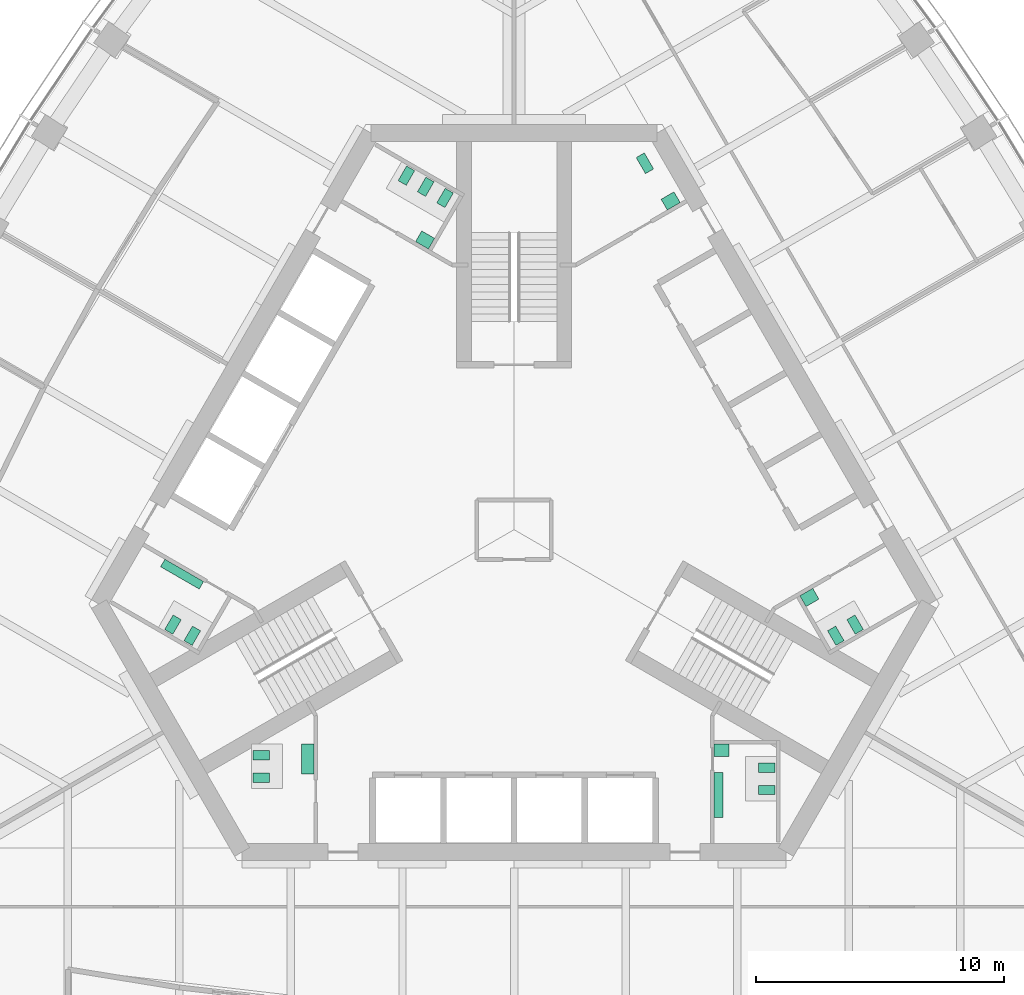
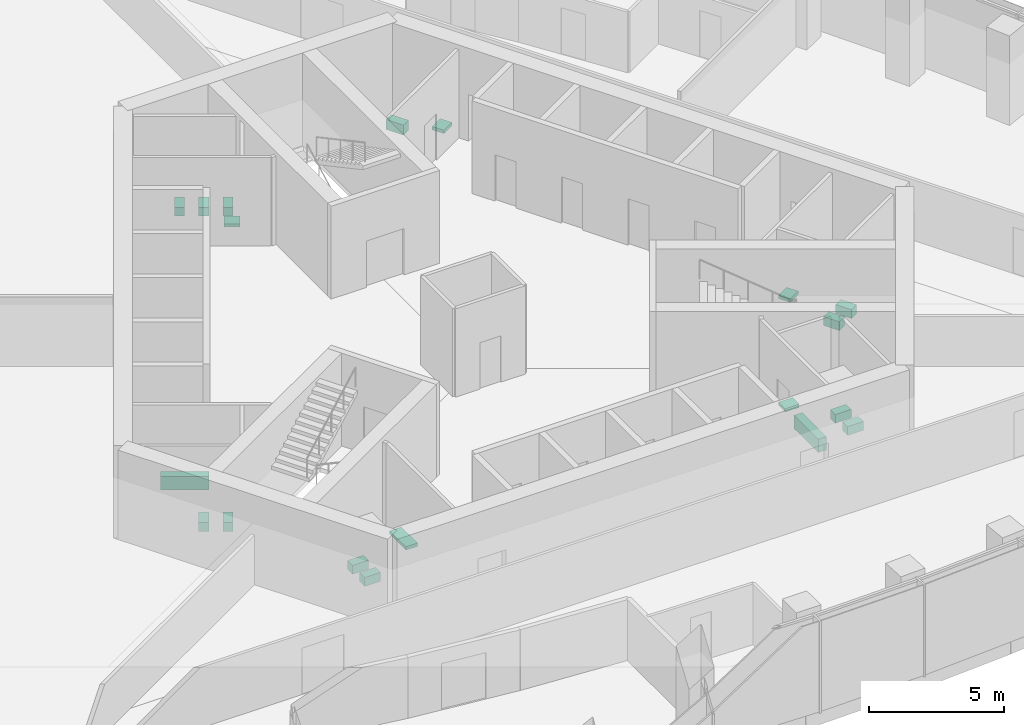
# One storey, part 18 of 19: 19 sanitary terminals.
"""IFC4 building model written with IfcOpenShell, lengths in metres."""

from ifc_helpers import new_model, si_unit, direction, frame, origin, place, context, subcontext, project, spatial, polyline, outline, extrude, material, type_object, element, save


model = new_model("IFC4")

# Units and contexts
model_context = context("Model", 3, precision=1e-05, world=origin(), true_north=direction((0.0, 1.0)))
body_context = subcontext(model_context, "Body", "Model", "MODEL_VIEW")
ifc_project = project(units=[si_unit("LENGTHUNIT", "METRE"), si_unit("AREAUNIT", "SQUARE_METRE"), si_unit("VOLUMEUNIT", "CUBIC_METRE"), si_unit("PLANEANGLEUNIT", "RADIAN"), si_unit("MASSUNIT", "GRAM", prefix="KILO")], contexts=[model_context])

# Site, building, storey
site_placement = place(None, origin())
site = spatial("IfcSite", under=ifc_project, at=site_placement, CompositionType="ELEMENT")
building_placement = place(site_placement, origin())
building = spatial("IfcBuilding", under=site, at=building_placement, Name="Trefoil Bronze Tower", CompositionType="ELEMENT")
storey_placement = place(building_placement, frame((0.0, 0.0, 227.5)))
storey = spatial("IfcBuildingStorey", under=building, at=storey_placement, Name="L52", CompositionType="ELEMENT", Elevation=227.5)

# Sanitary terminals
ifc_material_1 = material(Name="Vitreous china", Category="ceramic")
sanitary_terminal_type_1 = type_object("IfcSanitaryTerminalType", Name="Accessible WC pan", PredefinedType="TOILETPAN", material=ifc_material_1)
sanitary_terminal_1_placement = place(storey_placement, origin())
element("IfcSanitaryTerminal", 1, at=sanitary_terminal_1_placement, inside=storey, type_object=sanitary_terminal_type_1, Name="WC pan 1 Accessible WC L52", PredefinedType="TOILETPAN", context=body_context, shape_type="SweptSolid", body=[
    extrude(outline(polyline([(5.300537109375, 14.359130859375), (4.925537109375, 15.008544921875), (5.254638671875, 15.198486328125), (5.629638671875, 14.549072265625), (5.300537109375, 14.359130859375)])), origin(), (0.0, 0.0, 1.0), 0.449951171875),
])
ifc_material_2 = material(Name="Vitreous china", Category="ceramic")
sanitary_terminal_type_2 = type_object("IfcSanitaryTerminalType", Name="Accessible basin", PredefinedType="WASHHANDBASIN", material=ifc_material_2)
sanitary_terminal_2_placement = place(storey_placement, frame((0.0, 0.0, 0.64990234375)))
element("IfcSanitaryTerminal", 2, at=sanitary_terminal_2_placement, inside=storey, type_object=sanitary_terminal_type_2, Name="Wash basin Accessible WC L52", PredefinedType="WASHHANDBASIN", context=body_context, shape_type="SweptSolid", body=[
    extrude(outline(polyline([(6.181640625, 12.89306640625), (5.931640625, 13.326171875), (6.451171875, 13.626220703125), (6.701171875, 13.193115234375), (6.181640625, 12.89306640625)])), origin(), (0.0, 0.0, 1.0), 0.150146484375),
])
ifc_material_3 = material(Name="Vitreous china", Category="ceramic")
sanitary_terminal_type_3 = type_object("IfcSanitaryTerminalType", Name="Urinal range 3 urinals", PredefinedType="URINAL", material=ifc_material_3)
sanitary_terminal_3_placement = place(storey_placement, frame((0.0, 0.0, 0.39990234375)))
element("IfcSanitaryTerminal", 3, at=sanitary_terminal_3_placement, inside=storey, type_object=sanitary_terminal_type_3, Name="Urinal range WC (men) L52", PredefinedType="URINAL", context=body_context, shape_type="SweptSolid", body=[
    extrude(outline(polyline([(8.074951171875, -9.800048828125), (8.425048828125, -9.800048828125), (8.425048828125, -11.60009765625), (8.074951171875, -11.60009765625), (8.074951171875, -9.800048828125)])), origin(), (0.0, 0.0, 1.0), 0.60009765625),
])
sanitary_terminal_4_placement = place(storey_placement, frame((0.0, 0.0, 0.39990234375)))
element("IfcSanitaryTerminal", 4, at=sanitary_terminal_4_placement, inside=storey, type_object=sanitary_terminal_type_3, Name="Urinal range WC (men) L52", PredefinedType="URINAL", context=body_context, shape_type="SweptSolid", body=[
    extrude(outline(polyline([(-12.524658203125, -2.09326171875), (-12.699462890625, -2.396240234375), (-14.25830078125, -1.496337890625), (-14.08349609375, -1.193115234375), (-12.524658203125, -2.09326171875)])), origin(), (0.0, 0.0, 1.0), 0.60009765625),
])
ifc_material_4 = material(Name="Solid surface vanity", Category="plastic")
sanitary_terminal_type_4 = type_object("IfcSanitaryTerminalType", Name="Vanity unit 1 basins", PredefinedType="WASHHANDBASIN", material=ifc_material_4)
sanitary_terminal_5_placement = place(storey_placement, frame((0.0, 0.0, 0.75)))
element("IfcSanitaryTerminal", 5, at=sanitary_terminal_5_placement, inside=storey, type_object=sanitary_terminal_type_4, Name="Vanity unit WC (men) L52", PredefinedType="WASHHANDBASIN", context=body_context, shape_type="SweptSolid", body=[
    extrude(outline(polyline([(8.074951171875, -8.64990234375), (8.675048828125, -8.64990234375), (8.675048828125, -9.14990234375), (8.074951171875, -9.14990234375), (8.074951171875, -8.64990234375)])), origin(), (0.0, 0.0, 1.0), 0.14990234375),
])
sanitary_terminal_6_placement = place(storey_placement, frame((0.0, 0.0, 0.75)))
element("IfcSanitaryTerminal", 6, at=sanitary_terminal_6_placement, inside=storey, type_object=sanitary_terminal_type_4, Name="Vanity unit WC (women) L52", PredefinedType="WASHHANDBASIN", context=body_context, shape_type="SweptSolid", body=[
    extrude(outline(polyline([(11.528564453125, -2.668212890625), (11.778564453125, -3.10107421875), (12.29833984375, -2.80126953125), (12.04833984375, -2.3681640625), (11.528564453125, -2.668212890625)])), origin(), (0.0, 0.0, 1.0), 0.14990234375),
])
sanitary_terminal_7_placement = place(storey_placement, frame((0.0, 0.0, 0.75)))
element("IfcSanitaryTerminal", 7, at=sanitary_terminal_7_placement, inside=storey, type_object=sanitary_terminal_type_4, Name="Vanity unit WC (women) L52", PredefinedType="WASHHANDBASIN", context=body_context, shape_type="SweptSolid", body=[
    extrude(outline(polyline([(-3.45361328125, 11.318115234375), (-3.20361328125, 11.751220703125), (-3.72314453125, 12.05126953125), (-3.97314453125, 11.6181640625), (-3.45361328125, 11.318115234375)])), origin(), (0.0, 0.0, 1.0), 0.14990234375),
])
ifc_material_5 = material(Name="Solid surface vanity", Category="plastic")
sanitary_terminal_type_5 = type_object("IfcSanitaryTerminalType", Name="Vanity unit 2 basins", PredefinedType="WASHHANDBASIN", material=ifc_material_5)
sanitary_terminal_8_placement = place(storey_placement, frame((0.0, 0.0, 0.75)))
element("IfcSanitaryTerminal", 8, at=sanitary_terminal_8_placement, inside=storey, type_object=sanitary_terminal_type_5, Name="Vanity unit WC (women) L52", PredefinedType="WASHHANDBASIN", context=body_context, shape_type="SweptSolid", body=[
    extrude(outline(polyline([(-8.074951171875, -8.64990234375), (-8.574951171875, -8.64990234375), (-8.574951171875, -9.85009765625), (-8.074951171875, -9.85009765625), (-8.074951171875, -8.64990234375)])), origin(), (0.0, 0.0, 1.0), 0.14990234375),
])
ifc_material_6 = material(Name="Vitreous china", Category="ceramic")
sanitary_terminal_type_6 = type_object("IfcSanitaryTerminalType", Name="WC pan", PredefinedType="TOILETPAN", material=ifc_material_6)
sanitary_terminal_9_placement = place(storey_placement, origin())
element("IfcSanitaryTerminal", 9, at=sanitary_terminal_9_placement, inside=storey, type_object=sanitary_terminal_type_6, Name="WC pan 1 WC (men) L52", PredefinedType="TOILETPAN", context=body_context, shape_type="SweptSolid", body=[
    extrude(outline(polyline([(9.85498046875, -9.409912109375), (10.534912109375, -9.409912109375), (10.534912109375, -9.7900390625), (9.85498046875, -9.7900390625), (9.85498046875, -9.409912109375)])), origin(), (0.0, 0.0, 1.0), 0.39990234375),
])
sanitary_terminal_10_placement = place(storey_placement, origin())
element("IfcSanitaryTerminal", 10, at=sanitary_terminal_10_placement, inside=storey, type_object=sanitary_terminal_type_6, Name="WC pan 2 WC (men) L52", PredefinedType="TOILETPAN", context=body_context, shape_type="SweptSolid", body=[
    extrude(outline(polyline([(9.85498046875, -10.31005859375), (10.534912109375, -10.31005859375), (10.534912109375, -10.68994140625), (9.85498046875, -10.68994140625), (9.85498046875, -10.31005859375)])), origin(), (0.0, 0.0, 1.0), 0.39990234375),
])
sanitary_terminal_11_placement = place(storey_placement, origin())
element("IfcSanitaryTerminal", 11, at=sanitary_terminal_11_placement, inside=storey, type_object=sanitary_terminal_type_6, Name="WC pan 1 WC (women) L52", PredefinedType="TOILETPAN", context=body_context, shape_type="SweptSolid", body=[
    extrude(outline(polyline([(12.643798828125, -4.07958984375), (12.98388671875, -4.66845703125), (13.31298828125, -4.478515625), (12.972900390625, -3.8896484375), (12.643798828125, -4.07958984375)])), origin(), (0.0, 0.0, 1.0), 0.39990234375),
])
sanitary_terminal_12_placement = place(storey_placement, origin())
element("IfcSanitaryTerminal", 12, at=sanitary_terminal_12_placement, inside=storey, type_object=sanitary_terminal_type_6, Name="WC pan 2 WC (women) L52", PredefinedType="TOILETPAN", context=body_context, shape_type="SweptSolid", body=[
    extrude(outline(polyline([(13.423095703125, -3.629638671875), (13.76318359375, -4.218505859375), (14.09228515625, -4.028564453125), (13.752197265625, -3.439697265625), (13.423095703125, -3.629638671875)])), origin(), (0.0, 0.0, 1.0), 0.39990234375),
])
sanitary_terminal_13_placement = place(storey_placement, origin())
element("IfcSanitaryTerminal", 13, at=sanitary_terminal_13_placement, inside=storey, type_object=sanitary_terminal_type_6, Name="WC pan 1 WC (women) L52", PredefinedType="TOILETPAN", context=body_context, shape_type="SweptSolid", body=[
    extrude(outline(polyline([(-2.788818359375, 12.98974609375), (-2.44873046875, 13.57861328125), (-2.77783203125, 13.7685546875), (-3.117919921875, 13.1796875), (-2.788818359375, 12.98974609375)])), origin(), (0.0, 0.0, 1.0), 0.39990234375),
])
sanitary_terminal_14_placement = place(storey_placement, origin())
element("IfcSanitaryTerminal", 14, at=sanitary_terminal_14_placement, inside=storey, type_object=sanitary_terminal_type_6, Name="WC pan 2 WC (women) L52", PredefinedType="TOILETPAN", context=body_context, shape_type="SweptSolid", body=[
    extrude(outline(polyline([(-3.568115234375, 13.439697265625), (-3.228271484375, 14.028564453125), (-3.557373046875, 14.218505859375), (-3.897216796875, 13.629638671875), (-3.568115234375, 13.439697265625)])), origin(), (0.0, 0.0, 1.0), 0.39990234375),
])
sanitary_terminal_15_placement = place(storey_placement, origin())
element("IfcSanitaryTerminal", 15, at=sanitary_terminal_15_placement, inside=storey, type_object=sanitary_terminal_type_6, Name="WC pan 3 WC (women) L52", PredefinedType="TOILETPAN", context=body_context, shape_type="SweptSolid", body=[
    extrude(outline(polyline([(-4.34765625, 13.8896484375), (-4.007568359375, 14.478515625), (-4.336669921875, 14.66845703125), (-4.6767578125, 14.07958984375), (-4.34765625, 13.8896484375)])), origin(), (0.0, 0.0, 1.0), 0.39990234375),
])
sanitary_terminal_16_placement = place(storey_placement, origin())
element("IfcSanitaryTerminal", 16, at=sanitary_terminal_16_placement, inside=storey, type_object=sanitary_terminal_type_6, Name="WC pan 1 WC (men) L52", PredefinedType="TOILETPAN", context=body_context, shape_type="SweptSolid", body=[
    extrude(outline(polyline([(-12.643798828125, -4.07958984375), (-12.98388671875, -4.66845703125), (-13.31298828125, -4.478515625), (-12.972900390625, -3.8896484375), (-12.643798828125, -4.07958984375)])), origin(), (0.0, 0.0, 1.0), 0.39990234375),
])
sanitary_terminal_17_placement = place(storey_placement, origin())
element("IfcSanitaryTerminal", 17, at=sanitary_terminal_17_placement, inside=storey, type_object=sanitary_terminal_type_6, Name="WC pan 2 WC (men) L52", PredefinedType="TOILETPAN", context=body_context, shape_type="SweptSolid", body=[
    extrude(outline(polyline([(-13.423095703125, -3.629638671875), (-13.76318359375, -4.218505859375), (-14.09228515625, -4.028564453125), (-13.752197265625, -3.439697265625), (-13.423095703125, -3.629638671875)])), origin(), (0.0, 0.0, 1.0), 0.39990234375),
])
sanitary_terminal_18_placement = place(storey_placement, origin())
element("IfcSanitaryTerminal", 18, at=sanitary_terminal_18_placement, inside=storey, type_object=sanitary_terminal_type_6, Name="WC pan 1 WC (women) L52", PredefinedType="TOILETPAN", context=body_context, shape_type="SweptSolid", body=[
    extrude(outline(polyline([(-9.85498046875, -8.909912109375), (-10.534912109375, -8.909912109375), (-10.534912109375, -9.2900390625), (-9.85498046875, -9.2900390625), (-9.85498046875, -8.909912109375)])), origin(), (0.0, 0.0, 1.0), 0.39990234375),
])
sanitary_terminal_19_placement = place(storey_placement, origin())
element("IfcSanitaryTerminal", 19, at=sanitary_terminal_19_placement, inside=storey, type_object=sanitary_terminal_type_6, Name="WC pan 2 WC (women) L52", PredefinedType="TOILETPAN", context=body_context, shape_type="SweptSolid", body=[
    extrude(outline(polyline([(-9.85498046875, -9.81005859375), (-10.534912109375, -9.81005859375), (-10.534912109375, -10.18994140625), (-9.85498046875, -10.18994140625), (-9.85498046875, -9.81005859375)])), origin(), (0.0, 0.0, 1.0), 0.39990234375),
])

save(model, "model.ifc")
